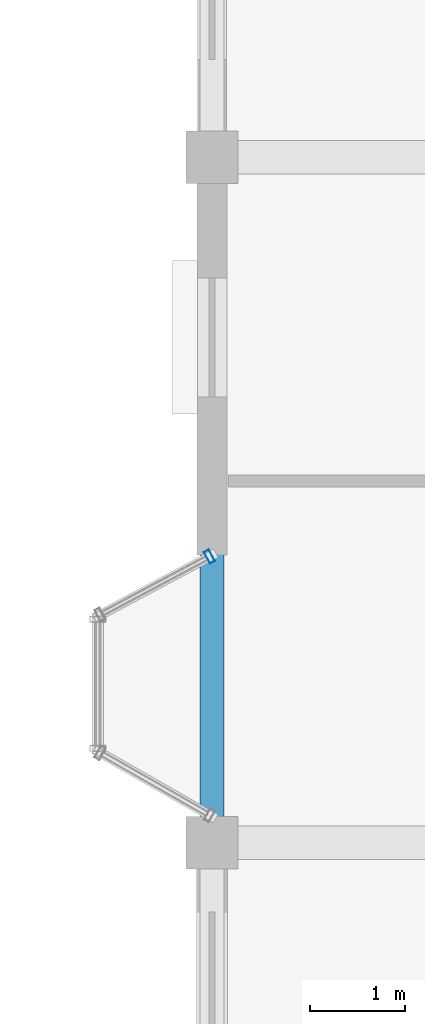
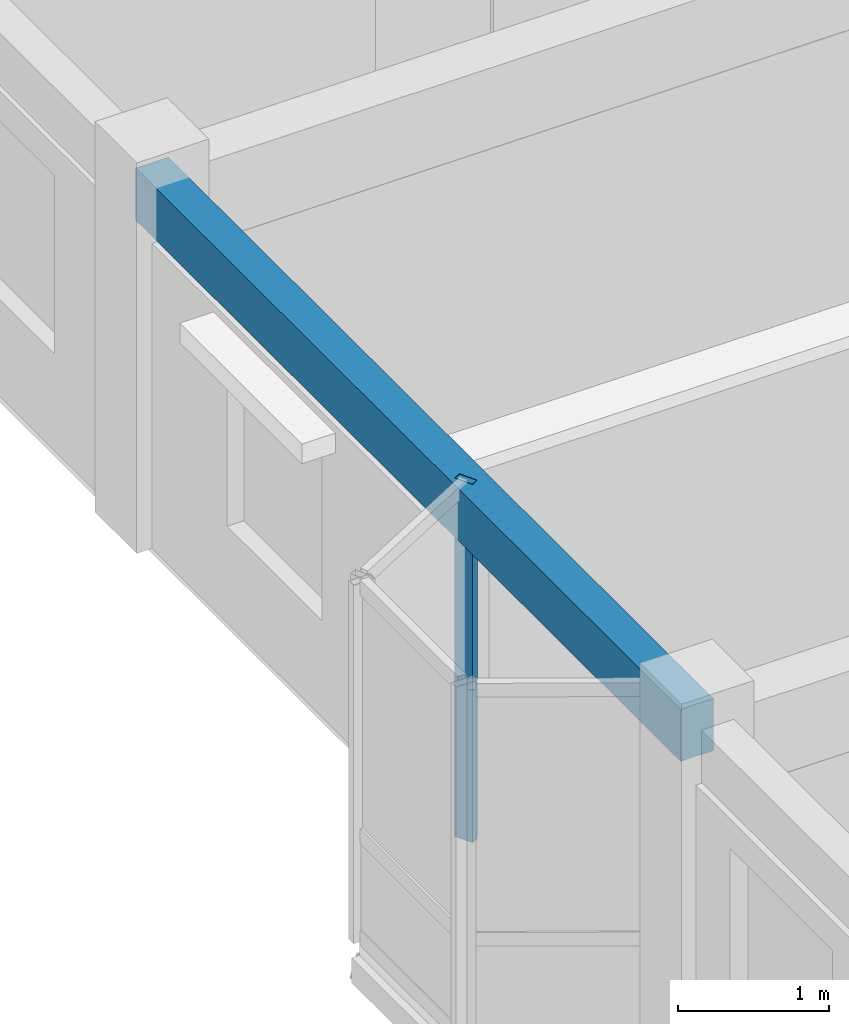
# One storey, part 28 of 77: 1 beam, 1 member, 1 element without a shape of its own.
"""IFC4 building model written with IfcOpenShell, lengths in metres."""

from ifc_helpers import new_model, si_unit, direction, frame, origin, origin_2d, place, context, subcontext, project, spatial, rectangle, hollow_rectangle, extrude, material, layer, layer_set, material_profile, profile_set, type_object, element, aggregate, save


model = new_model("IFC4")

# Units and contexts
model_context = context("Model", 3, precision=1e-05, world=origin(), true_north=direction((0.0, 1.0)))
body_context = subcontext(model_context, "Body", "Model", "MODEL_VIEW")
ifc_project = project(units=[si_unit("LENGTHUNIT", "METRE"), si_unit("AREAUNIT", "SQUARE_METRE"), si_unit("VOLUMEUNIT", "CUBIC_METRE"), si_unit("PLANEANGLEUNIT", "RADIAN"), si_unit("MASSUNIT", "GRAM", prefix="KILO"), si_unit("THERMODYNAMICTEMPERATUREUNIT", "KELVIN"), si_unit("POWERUNIT", "WATT")], contexts=[model_context])

# Site, building, storey
site_placement = place(None, origin())
site = spatial("IfcSite", under=ifc_project, at=site_placement, CompositionType="ELEMENT")
building_placement = place(site_placement, origin())
building = spatial("IfcBuilding", under=site, at=building_placement, Name="Tavuni Mirador Residences", CompositionType="ELEMENT")
storey_placement = place(building_placement, frame((0.0, 0.0, 17.10009765625)))
storey = spatial("IfcBuildingStorey", under=building, at=storey_placement, Name="L05", CompositionType="ELEMENT", Elevation=17.10009765625)

# Beam
ifc_material_1 = material(Name="Precast concrete C40/50", Category="concrete")
ifc_material_profile_1 = material_profile(ifc_material_1, rectangle(XDim=0.25, YDim=0.419921875, at=origin_2d()), Name="PC 250x420", Category="concrete")
ifc_profile_set_1 = profile_set([ifc_material_profile_1], Name="Precast concrete C40/50")
beam_type = type_object("IfcBeamType", Name="BT-SP420", PredefinedType="SPANDREL", material=ifc_profile_set_1)
beam_placement = place(storey_placement, frame((90.0, 108.0, 2.679931640625), z_axis=(0.0, 1.0, 0.0), x_axis=(-1.0, 0.0, 0.0)))
element("IfcBeam", 1, at=beam_placement, inside=storey, type_object=beam_type, Name="BMY-BLK-D-L05-00-03", PredefinedType="SPANDREL", context=body_context, shape_type="SweptSolid", body=[
    extrude(rectangle(XDim=0.25, YDim=0.419921875, at=origin_2d()), origin(), (0.0, 0.0, 1.0), 7.199951171875),
])

# Curtain wall, member
ifc_material_2 = material(Name="Anodised aluminium", Category="aluminium")
ifc_layer = layer(ifc_material_2, 0.1650390625, Name="Anodised aluminium", Category="aluminium")
ifc_layer_set = layer_set([ifc_layer], Name="Anodised aluminium")
curtain_wall_type = type_object("IfcCurtainWallType", Name="CWT-MIR-A", PredefinedType="NOTDEFINED", material=ifc_layer_set)
curtain_wall_placement = place(storey_placement, origin())
curtain_wall = element("IfcCurtainWall", 2, at=curtain_wall_placement, inside=storey, type_object=curtain_wall_type, Name="CW-MIR-D-W2-L05-M1", PredefinedType="NOTDEFINED")
ifc_material_profile_2 = material_profile(ifc_material_2, hollow_rectangle(XDim=0.06005859375, YDim=0.139892578125, WallThickness=0.00390625, at=origin_2d()), Name="ALU 60x140x4.0", Category="aluminium")
ifc_profile_set_2 = profile_set([ifc_material_profile_2], Name="Anodised aluminium")
member_type = type_object("IfcMemberType", Name="CWM-140", PredefinedType="MULLION", material=ifc_profile_set_2)
member_placement = place(storey_placement, frame((89.9736328125, 111.005859375, 0.0), z_axis=(0.0, 0.0, 1.0), x_axis=(-0.882352941175, -0.470588235296, 0.0)))
member = element("IfcMember", 3, at=member_placement, type_object=member_type, Name="CW-01 mullion 1", PredefinedType="MULLION", context=body_context, shape_type="SweptSolid", body=[
    extrude(hollow_rectangle(XDim=0.06005859375, YDim=0.139892578125, WallThickness=0.00390625, at=origin_2d()), origin(), (0.0, 0.0, 1.0), 2.889892578125),
])
aggregate(curtain_wall, [member])

save(model, "model.ifc")
